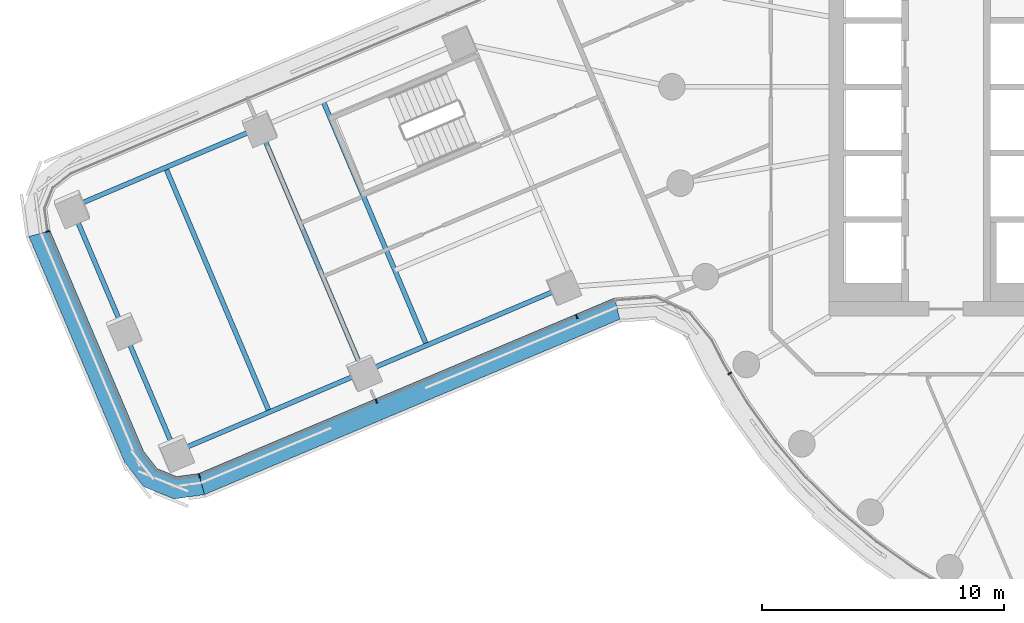
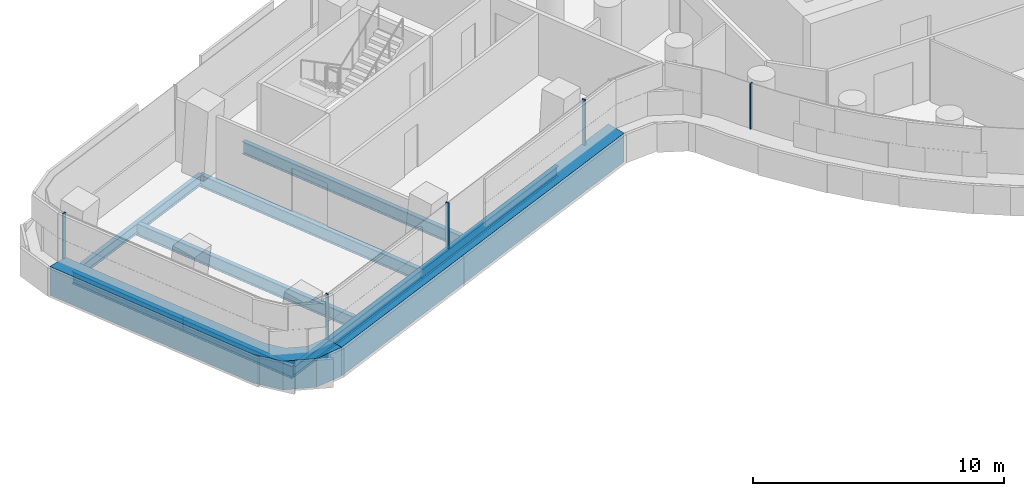
# One storey, part 5 of 35: 8 beams, 7 members, 3 elements without a shape of their own.
"""IFC4 building model written with IfcOpenShell, lengths in metres."""

from ifc_helpers import new_model, si_unit, direction, frame, origin, origin_2d, place, context, subcontext, project, spatial, polyline, rectangle, i_section, outline, extrude, material, layer, layer_set, material_profile, profile_set, type_object, element, aggregate, save


model = new_model("IFC4")

# Units and contexts
model_context = context("Model", 3, precision=1e-05, world=origin(), true_north=direction((0.0, 1.0)))
body_context = subcontext(model_context, "Body", "Model", "MODEL_VIEW")
ifc_project = project(units=[si_unit("LENGTHUNIT", "METRE"), si_unit("AREAUNIT", "SQUARE_METRE"), si_unit("VOLUMEUNIT", "CUBIC_METRE"), si_unit("PLANEANGLEUNIT", "RADIAN"), si_unit("MASSUNIT", "GRAM", prefix="KILO")], contexts=[model_context])

# Site, building, storey
site_placement = place(None, origin())
site = spatial("IfcSite", under=ifc_project, at=site_placement, CompositionType="ELEMENT")
building_placement = place(site_placement, origin())
building = spatial("IfcBuilding", under=site, at=building_placement, Name="Tamarind Cross Interchange Tower", CompositionType="ELEMENT")
storey_placement = place(building_placement, frame((0.0, 0.0, 117.25)))
storey = spatial("IfcBuildingStorey", under=building, at=storey_placement, Name="L28", CompositionType="ELEMENT", Elevation=117.25)

# Beams
ifc_material_1 = material(Name="Steel Q355B", Category="steel")
ifc_material_profile_1 = material_profile(ifc_material_1, i_section(OverallWidth=0.198974609375, OverallDepth=0.49609375, WebThickness=0.009033203125, FlangeThickness=0.013916015625, FilletRadius=0.012939453125, at=origin_2d()), Name="HN 496x199x9x14")
ifc_profile_set_1 = profile_set([ifc_material_profile_1], Name="Steel Q355B")
beam_type_1 = type_object("IfcBeamType", Name="Composite beam HN 496x199x9x14 Q355B", PredefinedType="BEAM", material=ifc_profile_set_1)
beam_1_placement = place(storey_placement, frame((-47.856689453125, -4.99365234375, -0.387939453125), z_axis=(0.920598142484, 0.390511280317, 0.0), x_axis=(-0.390511280317, 0.920598142484, 0.0)))
element("IfcBeam", 1, at=beam_1_placement, inside=storey, type_object=beam_type_1, Name="Beam W-edgeem5", PredefinedType="BEAM", context=body_context, shape_type="SweptSolid", body=[
    extrude(i_section(OverallWidth=0.198974609375, OverallDepth=0.49609375, WebThickness=0.009033203125, FlangeThickness=0.013916015625, FilletRadius=0.012939453125, at=origin_2d()), origin(), (0.0, 0.0, 1.0), 8.45361328125),
])
beam_2_placement = place(storey_placement, frame((-43.561279296875, -15.1201171875, -0.387939453125), z_axis=(0.920602546435, 0.390500898202, 0.0), x_axis=(-0.390500898202, 0.920602546435, 0.0)))
element("IfcBeam", 2, at=beam_2_placement, inside=storey, type_object=beam_type_1, Name="Beam W-edgeep2", PredefinedType="BEAM", context=body_context, shape_type="SweptSolid", body=[
    extrude(i_section(OverallWidth=0.198974609375, OverallDepth=0.49609375, WebThickness=0.009033203125, FlangeThickness=0.013916015625, FilletRadius=0.012939453125, at=origin_2d()), origin(), (0.0, 0.0, 1.0), 8.453857421875),
])
beam_3_placement = place(storey_placement, frame((-35.778564453125, -11.81884765625, -0.387939453125), z_axis=(0.920606310396, 0.390492024579, 0.0), x_axis=(-0.390492024579, 0.920606310396, 0.0)))
element("IfcBeam", 3, at=beam_3_placement, inside=storey, type_object=beam_type_1, Name="Beam W-edgeep3", PredefinedType="BEAM", context=body_context, shape_type="SweptSolid", body=[
    extrude(i_section(OverallWidth=0.198974609375, OverallDepth=0.49609375, WebThickness=0.009033203125, FlangeThickness=0.013916015625, FilletRadius=0.012939453125, at=origin_2d()), origin(), (0.0, 0.0, 1.0), 9.0),
])
ifc_material_profile_2 = material_profile(ifc_material_1, i_section(OverallWidth=0.199951171875, OverallDepth=0.60009765625, WebThickness=0.010986328125, FlangeThickness=0.01708984375, FilletRadius=0.012939453125, at=origin_2d()), Name="HN 600x200x11x17")
ifc_profile_set_2 = profile_set([ifc_material_profile_2], Name="Steel Q355B")
beam_type_2 = type_object("IfcBeamType", Name="Composite beam HN 600x200x11x17 Q355B", PredefinedType="BEAM", material=ifc_profile_set_2)
for number, where, z_axis, x_axis, name in (
    (4, (-47.856689453125, -4.99365234375, -0.43994140625), (0.390498547338, -0.920603543621, 0.0), (0.920603543621, 0.390498547338, 0.0), "Beam W-tip0"),
    (5, (-45.708984375, -10.056884765625, -0.43994140625), (0.390498547338, -0.920603543621, 0.0), (0.920603543621, 0.390498547338, 0.0), "Beam W-tip1"),
):
    element("IfcBeam", number, at=place(storey_placement, frame(where, z_axis=z_axis, x_axis=x_axis)), inside=storey, type_object=beam_type_2, Name=name, PredefinedType="BEAM", context=body_context, shape_type="SweptSolid", body=[
        extrude(i_section(OverallWidth=0.199951171875, OverallDepth=0.60009765625, WebThickness=0.010986328125, FlangeThickness=0.01708984375, FilletRadius=0.012939453125, at=origin_2d()), origin(), (0.0, 0.0, 1.0), 5.5),
    ])
for number, where, z_axis, x_axis, name in (
    (6, (-37.450439453125, -0.579345703125, -0.43994140625), (0.390490568515, -0.920606928011, 0.0), (0.920606928011, 0.390490568515, 0.0), "Beam W-x364"),
    (7, (-40.07421875, -1.6923828125, -0.43994140625), (0.390517357583, -0.920595564527, 0.0), (0.920595564527, 0.390517357583, 0.0), "Beam W-x393"),
    (8, (-43.965576171875, -3.343017578125, -0.43994140625), (0.390517357583, -0.920595564527, 0.0), (0.920595564527, 0.390517357583, 0.0), "Beam W-x435"),
):
    element("IfcBeam", number, at=place(storey_placement, frame(where, z_axis=z_axis, x_axis=x_axis)), inside=storey, type_object=beam_type_2, Name=name, PredefinedType="BEAM", context=body_context, shape_type="SweptSolid", body=[
        extrude(i_section(OverallWidth=0.199951171875, OverallDepth=0.60009765625, WebThickness=0.010986328125, FlangeThickness=0.01708984375, FilletRadius=0.012939453125, at=origin_2d()), origin(), (0.0, 0.0, 1.0), 11.0),
    ])

# Curtain wall, member
ifc_material_2 = material(Name="Aluminium 6063-T6", Category="aluminium")
ifc_layer = layer(ifc_material_2, 0.159912109375)
ifc_layer_set = layer_set([ifc_layer], Name="Aluminium 6063-T6")
curtain_wall_type = type_object("IfcCurtainWallType", Name="Office curtain wall, 9.0 m bays", PredefinedType="NOTDEFINED", material=ifc_layer_set)
curtain_wall_1_placement = place(storey_placement, origin())
curtain_wall_1 = element("IfcCurtainWall", 9, at=curtain_wall_1_placement, inside=storey, type_object=curtain_wall_type, Name="CWS-L28-00", PredefinedType="NOTDEFINED")
ifc_material_3 = material(Name="Aluminium and insulated spandrel panel", Category="aluminium")
member_type_1 = type_object("IfcMemberType", Name="Floor-edge blade transom", PredefinedType="USERDEFINED", material=ifc_material_3)
member_1_placement = place(storey_placement, origin())
member_1 = element("IfcMember", 10, at=member_1_placement, type_object=member_type_1, Name="CWT-L28-00", ObjectType="TRANSOM", PredefinedType="USERDEFINED", context=body_context, shape_type="SweptSolid", body=[
    extrude(outline(polyline([(-48.750732421875, -5.958740234375), (-44.876708984375, -15.092041015625), (-44.313232421875, -15.8134765625), (-43.50244140625, -16.141357421875), (-42.595703125, -16.01416015625), (-42.354248046875, -16.88916015625), (-43.6162109375, -17.066162109375), (-44.874267578125, -16.5576171875), (-45.658935546875, -15.552734375), (-49.625732421875, -6.201171875), (-48.750732421875, -5.958740234375)])), origin(), (0.0, 0.0, 1.0), 1.39990234375),
])

curtain_wall_2_placement = place(storey_placement, origin())
curtain_wall_2 = element("IfcCurtainWall", 11, at=curtain_wall_2_placement, inside=storey, type_object=curtain_wall_type, Name="CWS-L28-01", PredefinedType="NOTDEFINED")
member_2_placement = place(storey_placement, origin())
member_2 = element("IfcMember", 12, at=member_2_placement, type_object=member_type_1, Name="CWT-L28-01", ObjectType="TRANSOM", PredefinedType="USERDEFINED", context=body_context, shape_type="SweptSolid", body=[
    extrude(outline(polyline([(-42.595703125, -16.01416015625), (-25.37060546875, -8.741943359375), (-25.15771484375, -9.629150390625), (-42.354248046875, -16.88916015625), (-42.595703125, -16.01416015625)])), origin(), (0.0, 0.0, 1.0), 1.39990234375),
])

# Member
ifc_material_profile_3 = material_profile(ifc_material_2, rectangle(XDim=0.06005859375, YDim=0.159912109375, at=origin_2d()), Name="Mullion CW1")
ifc_profile_set_3 = profile_set([ifc_material_profile_3], Name="Aluminium 6063-T6")
member_type_2 = type_object("IfcMemberType", Name="Mullion CW1", PredefinedType="MULLION", material=ifc_profile_set_3)
member_3_placement = place(storey_placement, frame((-48.847900390625, -5.98583984375, 1.39990234375), z_axis=(0.0, 0.0, 1.0), x_axis=(0.266996180892, -0.963697587103, 0.0)))
member_3 = element("IfcMember", 13, at=member_3_placement, type_object=member_type_2, Name="CWM-L28-00-00", PredefinedType="MULLION", context=body_context, shape_type="SweptSolid", body=[
    extrude(rectangle(XDim=0.06005859375, YDim=0.159912109375, at=origin_2d()), origin(), (0.0, 0.0, 1.0), 2.210205078125),
])

aggregate(curtain_wall_1, [member_3, member_1])

member_4_placement = place(storey_placement, frame((-42.56884765625, -16.111328125, 1.39990234375), z_axis=(0.0, 0.0, 1.0), x_axis=(0.963923532466, 0.266179307155, 0.0)))
member_4 = element("IfcMember", 14, at=member_4_placement, type_object=member_type_2, Name="CWM-L28-01-00", PredefinedType="MULLION", context=body_context, shape_type="SweptSolid", body=[
    extrude(rectangle(XDim=0.06005859375, YDim=0.159912109375, at=origin_2d()), origin(), (0.0, 0.0, 1.0), 2.210205078125),
])

member_5_placement = place(storey_placement, frame((-35.238525390625, -13.0166015625, 1.39990234375), z_axis=(0.0, 0.0, 1.0), x_axis=(0.921263635853, 0.388938701154, 0.0)))
member_5 = element("IfcMember", 15, at=member_5_placement, type_object=member_type_2, Name="CWM-L28-01-01", PredefinedType="MULLION", context=body_context, shape_type="SweptSolid", body=[
    extrude(rectangle(XDim=0.06005859375, YDim=0.159912109375, at=origin_2d()), origin(), (0.0, 0.0, 1.0), 2.210205078125),
])

member_6_placement = place(storey_placement, frame((-26.944091796875, -9.514892578125, 1.39990234375), z_axis=(0.0, 0.0, 1.0), x_axis=(0.921263635853, 0.388938701154, 0.0)))
member_6 = element("IfcMember", 16, at=member_6_placement, type_object=member_type_2, Name="CWM-L28-01-02", PredefinedType="MULLION", context=body_context, shape_type="SweptSolid", body=[
    extrude(rectangle(XDim=0.06005859375, YDim=0.159912109375, at=origin_2d()), origin(), (0.0, 0.0, 1.0), 2.210205078125),
])

aggregate(curtain_wall_2, [member_4, member_5, member_6, member_2])

# Curtain wall, member
curtain_wall_3_placement = place(storey_placement, origin())
curtain_wall_3 = element("IfcCurtainWall", 17, at=curtain_wall_3_placement, inside=storey, type_object=curtain_wall_type, Name="CWS-L28-02", PredefinedType="NOTDEFINED")
member_7_placement = place(storey_placement, frame((-20.60595703125, -11.868896484375, 1.39990234375), z_axis=(0.0, 0.0, 1.0), x_axis=(0.515577308909, -0.856843065292, 0.0)))
member_7 = element("IfcMember", 18, at=member_7_placement, type_object=member_type_2, Name="CWM-L28-02-01", PredefinedType="MULLION", context=body_context, shape_type="SweptSolid", body=[
    extrude(rectangle(XDim=0.06005859375, YDim=0.159912109375, at=origin_2d()), origin(), (0.0, 0.0, 1.0), 2.210205078125),
])
aggregate(curtain_wall_3, [member_7])

save(model, "model.ifc")
